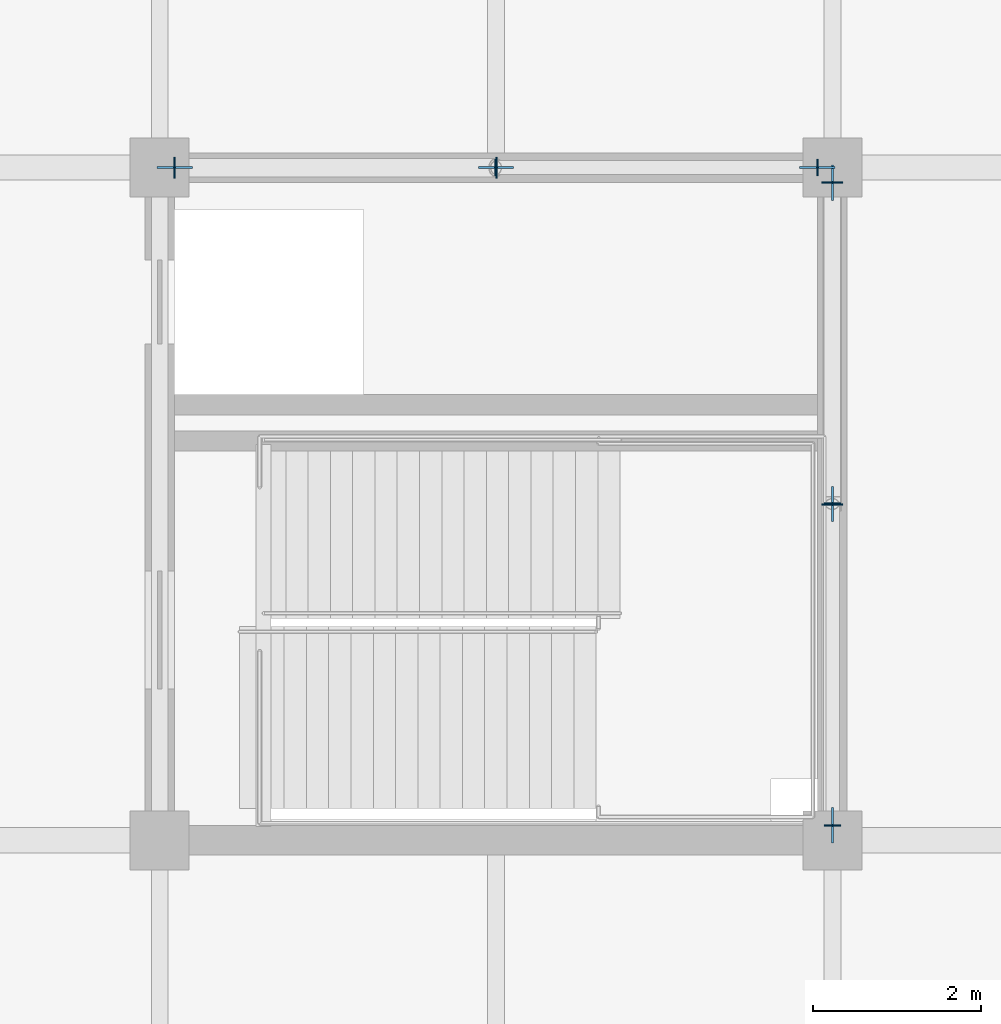
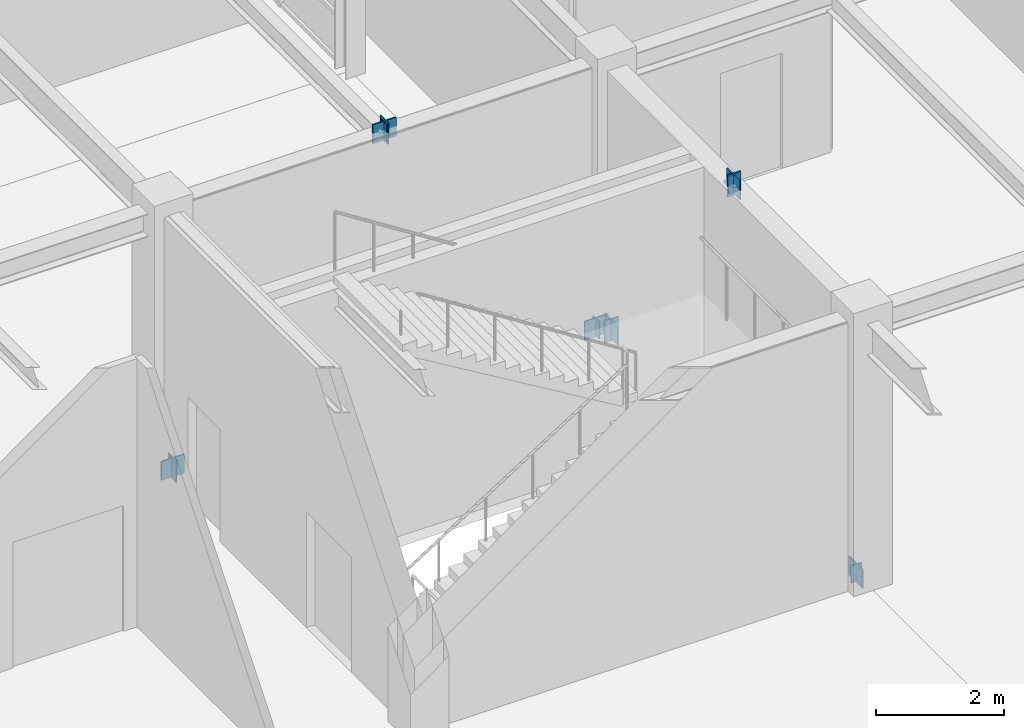
# One storey, part 77 of 119: 14 plates.
"""IFC4 building model written with IfcOpenShell, lengths in metres."""

from ifc_helpers import new_model, si_unit, direction, frame, origin, origin_2d, place, context, subcontext, project, spatial, rectangle, extrude, material, layer, layer_set, type_object, element, save


model = new_model("IFC4")

# Units and contexts
model_context = context("Model", 3, precision=1e-05, world=origin(), true_north=direction((0.0, 1.0)))
body_context = subcontext(model_context, "Body", "Model", "MODEL_VIEW")
ifc_project = project(units=[si_unit("LENGTHUNIT", "METRE"), si_unit("AREAUNIT", "SQUARE_METRE"), si_unit("VOLUMEUNIT", "CUBIC_METRE"), si_unit("PLANEANGLEUNIT", "RADIAN"), si_unit("MASSUNIT", "GRAM", prefix="KILO")], contexts=[model_context])

# Site, building, storey
site_placement = place(None, origin())
site = spatial("IfcSite", under=ifc_project, at=site_placement, CompositionType="ELEMENT")
building_placement = place(site_placement, origin())
building = spatial("IfcBuilding", under=site, at=building_placement, Name="Zhaolan Boulevard Law Courts", CompositionType="ELEMENT")
storey_placement = place(building_placement, origin())
storey = spatial("IfcBuildingStorey", under=building, at=storey_placement, Name="L00", CompositionType="ELEMENT", Elevation=0.0)

# Plates
ifc_material_1 = material(Name="Structural steel Q355B", Category="steel")
ifc_layer_1 = layer(ifc_material_1, 0.02392578125)
ifc_layer_set_1 = layer_set([ifc_layer_1])
plate_type_1 = type_object("IfcPlateType", Name="BRACE GUSSET PLATE 24", PredefinedType="SHEET", material=ifc_layer_set_1)
for number, where, z_axis, x_axis, name in (
    (1, (116.179931640625, 22.0, -0.14990234375), (0.0, 0.0, 1.0), (1.0, 0.0, 0.0), "Brace Gusset Connection Plate GP-P2-L00-NA1"),
    (2, (123.820068359375, 22.0, -0.14990234375), (0.0, 0.0, 1.0), (1.0, 0.0, 0.0), "Brace Gusset Connection Plate GP-P2-L00-NA2"),
    (3, (120.0, 22.0, 4.93994140625), (0.0, 0.0, 1.0), (1.0, 0.0, 0.0), "Brace Gusset Connection Plate GP-P2-L00-NAPX"),
    (4, (124.0, 14.179931640625, -0.14990234375), (0.0, 0.0, 1.0), (0.0, 1.0, 0.0), "Brace Gusset Connection Plate GP-P2-L00-EA1"),
    (5, (124.0, 21.820068359375, -0.14990234375), (0.0, 0.0, 1.0), (0.0, 1.0, 0.0), "Brace Gusset Connection Plate GP-P2-L00-EA2"),
    (6, (124.0, 18.0, 4.93994140625), (0.0, 0.0, 1.0), (0.0, 1.0, 0.0), "Brace Gusset Connection Plate GP-P2-L00-EAPX"),
):
    element("IfcPlate", number, at=place(storey_placement, frame(where, z_axis=z_axis, x_axis=x_axis)), inside=storey, type_object=plate_type_1, Name=name, PredefinedType="SHEET", context=body_context, shape_type="SweptSolid", body=[
        extrude(rectangle(XDim=0.419921875, YDim=0.02392578125, at=origin_2d()), origin(), (0.0, 0.0, 1.0), 0.360107421875),
    ])
ifc_material_2 = material(Name="Structural steel Q355B", Category="steel")
ifc_layer_2 = layer(ifc_material_2, 0.02001953125)
ifc_layer_set_2 = layer_set([ifc_layer_2])
plate_type_2 = type_object("IfcPlateType", Name="END CAP PLATE 20", PredefinedType="SHEET", material=ifc_layer_set_2)
for number, where, z_axis, x_axis, name in (
    (7, (116.17529296875, 22.0, -0.183837890625), (0.0, 0.0, 1.0), (1.0, 0.0, 0.0), "Hollow Section End-Cap Plate ECP-1255"),
    (8, (120.0048828125, 22.0, 4.9189453125), (0.0, 0.0, 1.0), (1.0, 0.0, 0.0), "Hollow Section End-Cap Plate ECP-1256"),
):
    element("IfcPlate", number, at=place(storey_placement, frame(where, z_axis=z_axis, x_axis=x_axis)), inside=storey, type_object=plate_type_2, Name=name, PredefinedType="SHEET", context=body_context, shape_type="SweptSolid", body=[
        extrude(rectangle(XDim=0.02001953125, YDim=0.2490234375, at=origin_2d()), origin(), (0.0, 0.0, 1.0), 0.4150390625),
    ])
for number, where, z_axis, x_axis, name in (
    (9, (123.82470703125, 22.0, -0.141357421875), (0.0, 0.0, 1.0), (-1.0, 0.0, 0.0), "Hollow Section End-Cap Plate ECP-1257"),
    (10, (119.9951171875, 22.0, 4.96142578125), (0.0, 0.0, 1.0), (-1.0, 0.0, 0.0), "Hollow Section End-Cap Plate ECP-1258"),
    (11, (124.0, 14.17529296875, -0.141357421875), (0.0, 0.0, 1.0), (0.0, 1.0, 0.0), "Hollow Section End-Cap Plate ECP-1259"),
    (12, (124.0, 18.0048828125, 4.96142578125), (0.0, 0.0, 1.0), (0.0, 1.0, 0.0), "Hollow Section End-Cap Plate ECP-1260"),
):
    element("IfcPlate", number, at=place(storey_placement, frame(where, z_axis=z_axis, x_axis=x_axis)), inside=storey, type_object=plate_type_2, Name=name, PredefinedType="SHEET", context=body_context, shape_type="SweptSolid", body=[
        extrude(rectangle(XDim=0.02001953125, YDim=0.197998046875, at=origin_2d()), origin(), (0.0, 0.0, 1.0), 0.330078125),
    ])
for number, where, z_axis, x_axis, name in (
    (13, (124.0, 21.82470703125, -0.184326171875), (0.0, 0.0, 1.0), (0.0, -1.0, 0.0), "Hollow Section End-Cap Plate ECP-1261"),
    (14, (124.0, 17.9951171875, 4.91845703125), (0.0, 0.0, 1.0), (0.0, -1.0, 0.0), "Hollow Section End-Cap Plate ECP-1262"),
):
    element("IfcPlate", number, at=place(storey_placement, frame(where, z_axis=z_axis, x_axis=x_axis)), inside=storey, type_object=plate_type_2, Name=name, PredefinedType="SHEET", context=body_context, shape_type="SweptSolid", body=[
        extrude(rectangle(XDim=0.02001953125, YDim=0.25, at=origin_2d()), origin(), (0.0, 0.0, 1.0), 0.416015625),
    ])

save(model, "model.ifc")
